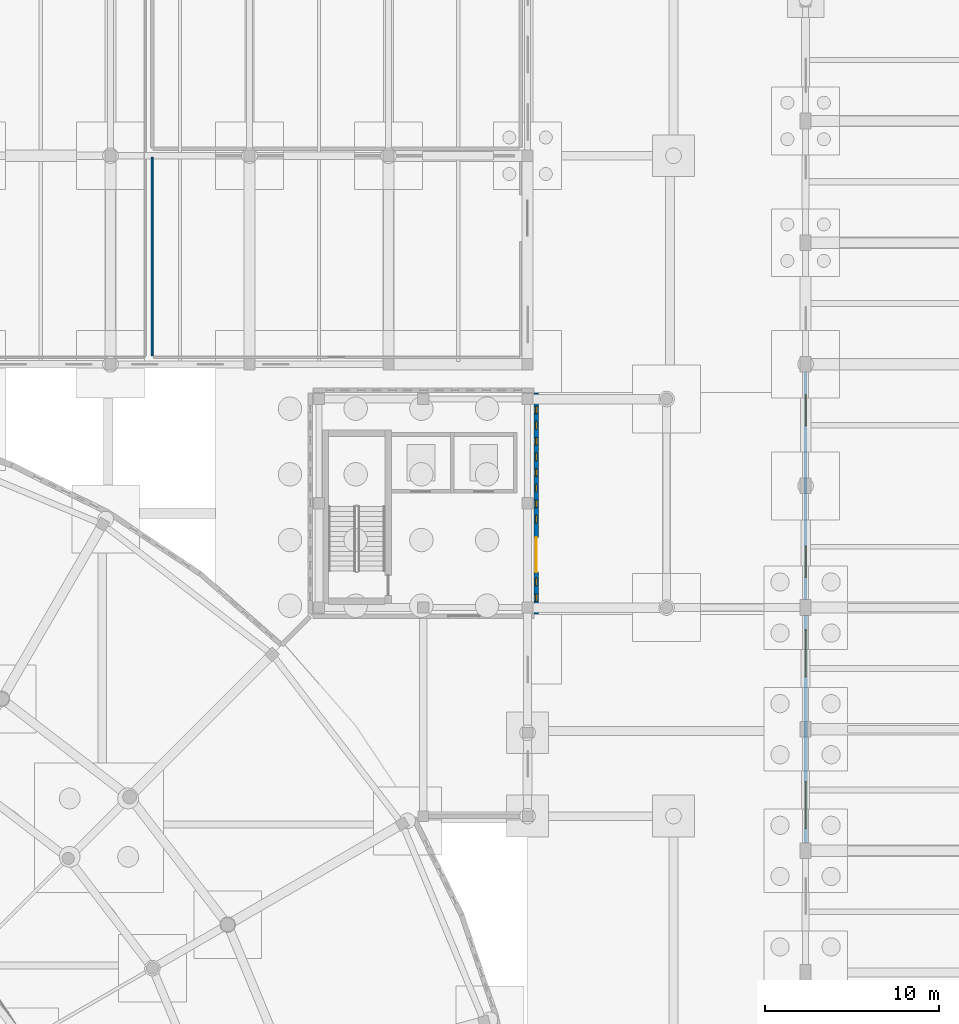
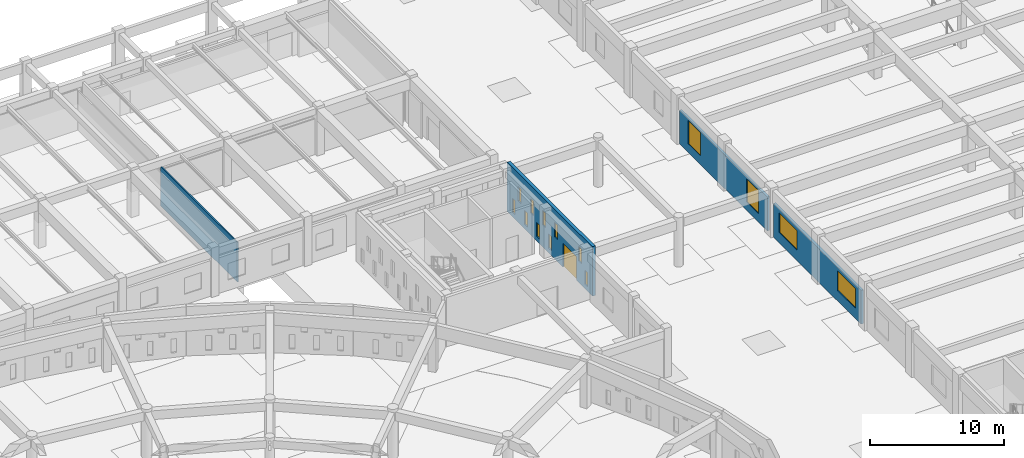
# One storey, part 57 of 84: 14 windows, 4 walls, 1 door, 15 openings.
"""IFC4 building model written with IfcOpenShell, lengths in metres."""

from ifc_helpers import new_model, si_unit, direction, frame, frame_2d, origin, place, context, subcontext, project, spatial, rectangle, extrude, material, layer, layer_set, type_object, element, fill, save


model = new_model("IFC4")

# Units and contexts
model_context = context("Model", 3, precision=1e-05, world=origin(), true_north=direction((0.0, 1.0)))
body_context = subcontext(model_context, "Body", "Model", "MODEL_VIEW")
ifc_project = project(units=[si_unit("LENGTHUNIT", "METRE"), si_unit("AREAUNIT", "SQUARE_METRE"), si_unit("VOLUMEUNIT", "CUBIC_METRE"), si_unit("PLANEANGLEUNIT", "RADIAN"), si_unit("MASSUNIT", "GRAM", prefix="KILO")], contexts=[model_context])

# Site, building, storey
site_placement = place(None, origin())
site = spatial("IfcSite", under=ifc_project, at=site_placement, CompositionType="ELEMENT")
building_placement = place(site_placement, origin())
building = spatial("IfcBuilding", under=site, at=building_placement, Name="Larkveld Mobility Hub", CompositionType="ELEMENT")
storey_placement = place(building_placement, origin())
storey = spatial("IfcBuildingStorey", under=building, at=storey_placement, Name="L00", CompositionType="ELEMENT", Elevation=0.0)

# Wall, openings, door, windows
ifc_material_1 = material(Name="Fired clay brick 25 MPa", Category="masonry")
ifc_layer_1 = layer(ifc_material_1, 0.260009765625, Name="Fired clay brick 25 MPa", Category="masonry")
ifc_layer_set_1 = layer_set([ifc_layer_1], Name="Fired clay brick 25 MPa")
wall_type_1 = type_object("IfcWallType", Name="WL-BRK-260", PredefinedType="USERDEFINED", material=ifc_layer_set_1)
wall_1_placement = place(storey_placement, frame((96.5, 83.639892578125, 0.0), z_axis=(0.0, 0.0, 1.0), x_axis=(0.0, 1.0, 0.0)))
wall_1 = element("IfcWall", 1, at=wall_1_placement, inside=storey, type_object=wall_type_1, Name="Square Brick Pavilion E Wall L00-0142", ObjectType="PERFORATED BRICK SCREEN", PredefinedType="USERDEFINED", context=body_context, shape_type="SweptSolid", body=[
    extrude(rectangle(XDim=12.72021484375, YDim=0.260009765625, at=frame_2d((6.360107421875, 0.0))), origin(), (0.0, 0.0, 1.0), 4.5),
])
opening_1_placement = place(wall_1_placement, frame((2.39990234375, 0.0, 0.0)))
opening_1 = element("IfcOpeningElement", 2, at=opening_1_placement, cuts=wall_1, Name="Opening ED02", PredefinedType="OPENING", context=body_context, shape_type="SweptSolid", body=[
    extrude(rectangle(XDim=2.0, YDim=2.14990234375, at=frame_2d((1.0, 1.074951171875))), frame((0.0, 0.14013671875, 0.0), z_axis=(0.0, -1.0, 0.0), x_axis=(1.0, 0.0, 0.0)), (0.0, 0.0, 1.0), 0.280029296875),
])
opening_2_placement = place(wall_1_placement, frame((0.719970703125, 0.0, 0.419921875)))
opening_2 = element("IfcOpeningElement", 3, at=opening_2_placement, cuts=wall_1, Name="Opening W01", PredefinedType="OPENING", context=body_context, shape_type="SweptSolid", body=[
    extrude(rectangle(XDim=0.419921875, YDim=1.280029296875, at=frame_2d((0.2099609375, 0.64013671875))), frame((0.0, 0.14013671875, 0.0), z_axis=(0.0, -1.0, 0.0), x_axis=(1.0, 0.0, 0.0)), (0.0, 0.0, 1.0), 0.280029296875),
])
opening_3_placement = place(wall_1_placement, frame((6.1201171875, 0.0, 0.419921875)))
opening_3 = element("IfcOpeningElement", 4, at=opening_3_placement, cuts=wall_1, Name="Opening W01", PredefinedType="OPENING", context=body_context, shape_type="SweptSolid", body=[
    extrude(rectangle(XDim=0.419921875, YDim=1.280029296875, at=frame_2d((0.2099609375, 0.64013671875))), frame((0.0, 0.14013671875, 0.0), z_axis=(0.0, -1.0, 0.0), x_axis=(1.0, 0.0, 0.0)), (0.0, 0.0, 1.0), 0.280029296875),
])
opening_4_placement = place(wall_1_placement, frame((7.919921875, 0.0, 0.419921875)))
opening_4 = element("IfcOpeningElement", 5, at=opening_4_placement, cuts=wall_1, Name="Opening W01", PredefinedType="OPENING", context=body_context, shape_type="SweptSolid", body=[
    extrude(rectangle(XDim=0.419921875, YDim=1.280029296875, at=frame_2d((0.2099609375, 0.64013671875))), frame((0.0, 0.14013671875, 0.0), z_axis=(0.0, -1.0, 0.0), x_axis=(1.0, 0.0, 0.0)), (0.0, 0.0, 1.0), 0.280029296875),
])
opening_5_placement = place(wall_1_placement, frame((9.719970703125, 0.0, 0.419921875)))
opening_5 = element("IfcOpeningElement", 6, at=opening_5_placement, cuts=wall_1, Name="Opening W01", PredefinedType="OPENING", context=body_context, shape_type="SweptSolid", body=[
    extrude(rectangle(XDim=0.419921875, YDim=1.280029296875, at=frame_2d((0.2099609375, 0.64013671875))), frame((0.0, 0.14013671875, 0.0), z_axis=(0.0, -1.0, 0.0), x_axis=(1.0, 0.0, 0.0)), (0.0, 0.0, 1.0), 0.280029296875),
])
opening_6_placement = place(wall_1_placement, frame((11.52001953125, 0.0, 0.419921875)))
opening_6 = element("IfcOpeningElement", 7, at=opening_6_placement, cuts=wall_1, Name="Opening W01", PredefinedType="OPENING", context=body_context, shape_type="SweptSolid", body=[
    extrude(rectangle(XDim=0.419921875, YDim=1.280029296875, at=frame_2d((0.2099609375, 0.64013671875))), frame((0.0, 0.14013671875, 0.0), z_axis=(0.0, -1.0, 0.0), x_axis=(1.0, 0.0, 0.0)), (0.0, 0.0, 1.0), 0.280029296875),
])
opening_7_placement = place(wall_1_placement, frame((1.6201171875, 0.0, 1.97998046875)))
opening_7 = element("IfcOpeningElement", 8, at=opening_7_placement, cuts=wall_1, Name="Opening W02", PredefinedType="OPENING", context=body_context, shape_type="SweptSolid", body=[
    extrude(rectangle(XDim=0.449951171875, YDim=1.320068359375, at=frame_2d((0.22509765625, 0.66015625))), frame((0.0, 0.14013671875, 0.0), z_axis=(0.0, -1.0, 0.0), x_axis=(1.0, 0.0, 0.0)), (0.0, 0.0, 1.0), 0.280029296875),
])
opening_8_placement = place(wall_1_placement, frame((5.219970703125, 0.0, 1.97998046875)))
opening_8 = element("IfcOpeningElement", 9, at=opening_8_placement, cuts=wall_1, Name="Opening W02", PredefinedType="OPENING", context=body_context, shape_type="SweptSolid", body=[
    extrude(rectangle(XDim=0.449951171875, YDim=1.320068359375, at=frame_2d((0.22509765625, 0.66015625))), frame((0.0, 0.14013671875, 0.0), z_axis=(0.0, -1.0, 0.0), x_axis=(1.0, 0.0, 0.0)), (0.0, 0.0, 1.0), 0.280029296875),
])
opening_9_placement = place(wall_1_placement, frame((7.02001953125, 0.0, 1.97998046875)))
opening_9 = element("IfcOpeningElement", 10, at=opening_9_placement, cuts=wall_1, Name="Opening W02", PredefinedType="OPENING", context=body_context, shape_type="SweptSolid", body=[
    extrude(rectangle(XDim=0.449951171875, YDim=1.320068359375, at=frame_2d((0.22509765625, 0.66015625))), frame((0.0, 0.14013671875, 0.0), z_axis=(0.0, -1.0, 0.0), x_axis=(1.0, 0.0, 0.0)), (0.0, 0.0, 1.0), 0.280029296875),
])
opening_10_placement = place(wall_1_placement, frame((8.820068359375, 0.0, 1.97998046875)))
opening_10 = element("IfcOpeningElement", 11, at=opening_10_placement, cuts=wall_1, Name="Opening W02", PredefinedType="OPENING", context=body_context, shape_type="SweptSolid", body=[
    extrude(rectangle(XDim=0.449951171875, YDim=1.320068359375, at=frame_2d((0.22509765625, 0.66015625))), frame((0.0, 0.14013671875, 0.0), z_axis=(0.0, -1.0, 0.0), x_axis=(1.0, 0.0, 0.0)), (0.0, 0.0, 1.0), 0.280029296875),
])
opening_11_placement = place(wall_1_placement, frame((10.6201171875, 0.0, 1.97998046875)))
opening_11 = element("IfcOpeningElement", 12, at=opening_11_placement, cuts=wall_1, Name="Opening W02", PredefinedType="OPENING", context=body_context, shape_type="SweptSolid", body=[
    extrude(rectangle(XDim=0.449951171875, YDim=1.320068359375, at=frame_2d((0.22509765625, 0.66015625))), frame((0.0, 0.14013671875, 0.0), z_axis=(0.0, -1.0, 0.0), x_axis=(1.0, 0.0, 0.0)), (0.0, 0.0, 1.0), 0.280029296875),
])
ifc_material_2 = material(Name="Anodised aluminium glazed entrance door", Category="aluminium")
door_type = type_object("IfcDoorType", Name="DR-EXT-DB20", OperationType="DOUBLE_DOOR_SINGLE_SWING", PredefinedType="DOOR", material=ifc_material_2)
door_placement = place(opening_1_placement, origin())
door = element("IfcDoor", 13, at=door_placement, inside=storey, type_object=door_type, Name="Brick Pavilion Passage Entrance EDR-L00-002", OperationType="DOUBLE_DOOR_SINGLE_SWING", OverallHeight=2.14990234375, OverallWidth=2.0, PredefinedType="DOOR", context=body_context, shape_type="SweptSolid", body=[
    extrude(rectangle(XDim=2.0, YDim=2.14990234375, at=frame_2d((1.0, 1.074951171875))), frame((0.0, 0.02490234375, 0.0), z_axis=(0.0, -1.0, 0.0), x_axis=(1.0, 0.0, 0.0)), (0.0, 0.0, 1.0), 0.050048828125),
])
fill(opening_1, door)
ifc_material_3 = material(Name="Extruded aluminium ventilation grille", Category="aluminium")
window_type_1 = type_object("IfcWindowType", Name="WN-VENT-01", PartitioningType="SINGLE_PANEL", PredefinedType="WINDOW", material=ifc_material_3)
window_1_placement = place(opening_2_placement, origin())
window_1 = element("IfcWindow", 14, at=window_1_placement, inside=storey, type_object=window_type_1, Name="Window W01 (0707)", OverallHeight=1.280029296875, OverallWidth=0.419921875, PartitioningType="SINGLE_PANEL", PredefinedType="WINDOW", context=body_context, shape_type="SweptSolid", body=[
    extrude(rectangle(XDim=0.419921875, YDim=1.280029296875, at=frame_2d((0.2099609375, 0.64013671875))), frame((0.0, 0.030029296875, 0.0), z_axis=(0.0, -1.0, 0.0), x_axis=(1.0, 0.0, 0.0)), (0.0, 0.0, 1.0), 0.06005859375),
])
fill(opening_2, window_1)
window_2_placement = place(opening_3_placement, origin())
window_2 = element("IfcWindow", 15, at=window_2_placement, inside=storey, type_object=window_type_1, Name="Window W01 (0708)", OverallHeight=1.280029296875, OverallWidth=0.419921875, PartitioningType="SINGLE_PANEL", PredefinedType="WINDOW", context=body_context, shape_type="SweptSolid", body=[
    extrude(rectangle(XDim=0.419921875, YDim=1.280029296875, at=frame_2d((0.2099609375, 0.64013671875))), frame((0.0, 0.030029296875, 0.0), z_axis=(0.0, -1.0, 0.0), x_axis=(1.0, 0.0, 0.0)), (0.0, 0.0, 1.0), 0.06005859375),
])
fill(opening_3, window_2)
window_3_placement = place(opening_4_placement, origin())
window_3 = element("IfcWindow", 16, at=window_3_placement, inside=storey, type_object=window_type_1, Name="Window W01 (0709)", OverallHeight=1.280029296875, OverallWidth=0.419921875, PartitioningType="SINGLE_PANEL", PredefinedType="WINDOW", context=body_context, shape_type="SweptSolid", body=[
    extrude(rectangle(XDim=0.419921875, YDim=1.280029296875, at=frame_2d((0.2099609375, 0.64013671875))), frame((0.0, 0.030029296875, 0.0), z_axis=(0.0, -1.0, 0.0), x_axis=(1.0, 0.0, 0.0)), (0.0, 0.0, 1.0), 0.06005859375),
])
fill(opening_4, window_3)
window_4_placement = place(opening_5_placement, origin())
window_4 = element("IfcWindow", 17, at=window_4_placement, inside=storey, type_object=window_type_1, Name="Window W01 (0710)", OverallHeight=1.280029296875, OverallWidth=0.419921875, PartitioningType="SINGLE_PANEL", PredefinedType="WINDOW", context=body_context, shape_type="SweptSolid", body=[
    extrude(rectangle(XDim=0.419921875, YDim=1.280029296875, at=frame_2d((0.2099609375, 0.64013671875))), frame((0.0, 0.030029296875, 0.0), z_axis=(0.0, -1.0, 0.0), x_axis=(1.0, 0.0, 0.0)), (0.0, 0.0, 1.0), 0.06005859375),
])
fill(opening_5, window_4)
window_5_placement = place(opening_6_placement, origin())
window_5 = element("IfcWindow", 18, at=window_5_placement, inside=storey, type_object=window_type_1, Name="Window W01 (0711)", OverallHeight=1.280029296875, OverallWidth=0.419921875, PartitioningType="SINGLE_PANEL", PredefinedType="WINDOW", context=body_context, shape_type="SweptSolid", body=[
    extrude(rectangle(XDim=0.419921875, YDim=1.280029296875, at=frame_2d((0.2099609375, 0.64013671875))), frame((0.0, 0.030029296875, 0.0), z_axis=(0.0, -1.0, 0.0), x_axis=(1.0, 0.0, 0.0)), (0.0, 0.0, 1.0), 0.06005859375),
])
fill(opening_6, window_5)
window_type_2 = type_object("IfcWindowType", Name="WN-VENT-02", PartitioningType="SINGLE_PANEL", PredefinedType="WINDOW", material=ifc_material_3)
window_6_placement = place(opening_7_placement, origin())
window_6 = element("IfcWindow", 19, at=window_6_placement, inside=storey, type_object=window_type_2, Name="Window W02 (0712)", OverallHeight=1.320068359375, OverallWidth=0.449951171875, PartitioningType="SINGLE_PANEL", PredefinedType="WINDOW", context=body_context, shape_type="SweptSolid", body=[
    extrude(rectangle(XDim=0.449951171875, YDim=1.320068359375, at=frame_2d((0.22509765625, 0.66015625))), frame((0.0, 0.030029296875, 0.0), z_axis=(0.0, -1.0, 0.0), x_axis=(1.0, 0.0, 0.0)), (0.0, 0.0, 1.0), 0.06005859375),
])
fill(opening_7, window_6)
window_7_placement = place(opening_8_placement, origin())
window_7 = element("IfcWindow", 20, at=window_7_placement, inside=storey, type_object=window_type_2, Name="Window W02 (0713)", OverallHeight=1.320068359375, OverallWidth=0.449951171875, PartitioningType="SINGLE_PANEL", PredefinedType="WINDOW", context=body_context, shape_type="SweptSolid", body=[
    extrude(rectangle(XDim=0.449951171875, YDim=1.320068359375, at=frame_2d((0.22509765625, 0.66015625))), frame((0.0, 0.030029296875, 0.0), z_axis=(0.0, -1.0, 0.0), x_axis=(1.0, 0.0, 0.0)), (0.0, 0.0, 1.0), 0.06005859375),
])
fill(opening_8, window_7)
window_8_placement = place(opening_9_placement, origin())
window_8 = element("IfcWindow", 21, at=window_8_placement, inside=storey, type_object=window_type_2, Name="Window W02 (0714)", OverallHeight=1.320068359375, OverallWidth=0.449951171875, PartitioningType="SINGLE_PANEL", PredefinedType="WINDOW", context=body_context, shape_type="SweptSolid", body=[
    extrude(rectangle(XDim=0.449951171875, YDim=1.320068359375, at=frame_2d((0.22509765625, 0.66015625))), frame((0.0, 0.030029296875, 0.0), z_axis=(0.0, -1.0, 0.0), x_axis=(1.0, 0.0, 0.0)), (0.0, 0.0, 1.0), 0.06005859375),
])
fill(opening_9, window_8)
window_9_placement = place(opening_10_placement, origin())
window_9 = element("IfcWindow", 22, at=window_9_placement, inside=storey, type_object=window_type_2, Name="Window W02 (0715)", OverallHeight=1.320068359375, OverallWidth=0.449951171875, PartitioningType="SINGLE_PANEL", PredefinedType="WINDOW", context=body_context, shape_type="SweptSolid", body=[
    extrude(rectangle(XDim=0.449951171875, YDim=1.320068359375, at=frame_2d((0.22509765625, 0.66015625))), frame((0.0, 0.030029296875, 0.0), z_axis=(0.0, -1.0, 0.0), x_axis=(1.0, 0.0, 0.0)), (0.0, 0.0, 1.0), 0.06005859375),
])
fill(opening_10, window_9)
window_10_placement = place(opening_11_placement, origin())
window_10 = element("IfcWindow", 23, at=window_10_placement, inside=storey, type_object=window_type_2, Name="Window W02 (0716)", OverallHeight=1.320068359375, OverallWidth=0.449951171875, PartitioningType="SINGLE_PANEL", PredefinedType="WINDOW", context=body_context, shape_type="SweptSolid", body=[
    extrude(rectangle(XDim=0.449951171875, YDim=1.320068359375, at=frame_2d((0.22509765625, 0.66015625))), frame((0.0, 0.030029296875, 0.0), z_axis=(0.0, -1.0, 0.0), x_axis=(1.0, 0.0, 0.0)), (0.0, 0.0, 1.0), 0.06005859375),
])
fill(opening_11, window_10)

# Wall, openings, windows
ifc_material_4 = material(Name="Glazed architectural ceramic masonry 20 MPa", Category="masonry")
ifc_layer_2 = layer(ifc_material_4, 0.179931640625, Name="Glazed architectural ceramic masonry 20 MPa", Category="masonry")
ifc_layer_set_2 = layer_set([ifc_layer_2], Name="Glazed architectural ceramic masonry 20 MPa")
wall_type_2 = type_object("IfcWallType", Name="WL-COB-180", PredefinedType="USERDEFINED", material=ifc_layer_set_2)
wall_2_placement = place(storey_placement, frame((112.0, 97.5400390625, 0.0), z_axis=(0.0, 0.0, 1.0), x_axis=(0.0, -1.0, 0.0)))
wall_2 = element("IfcWall", 24, at=wall_2_placement, inside=storey, type_object=wall_type_2, Name="EV Wing West Ventilated Facade L00-0219", ObjectType="CERAMIC COBOGO SCREEN", PredefinedType="USERDEFINED", context=body_context, shape_type="SweptSolid", body=[
    extrude(rectangle(XDim=13.080078125, YDim=0.179931640625, at=frame_2d((6.5400390625, 0.0))), origin(), (0.0, 0.0, 1.0), 3.094970703125),
])
opening_12_placement = place(wall_2_placement, frame((1.280029296875, 0.0, 0.794921875)))
opening_12 = element("IfcOpeningElement", 25, at=opening_12_placement, cuts=wall_2, Name="Opening W17", PredefinedType="OPENING", context=body_context, shape_type="SweptSolid", body=[
    extrude(rectangle(XDim=1.800048828125, YDim=2.10009765625, at=frame_2d((0.89990234375, 1.050048828125))), frame((0.0, 0.10009765625, 0.0), z_axis=(0.0, -1.0, 0.0), x_axis=(1.0, 0.0, 0.0)), (0.0, 0.0, 1.0), 0.199951171875),
])
opening_13_placement = place(wall_2_placement, frame((10.0, 0.0, 0.794921875)))
opening_13 = element("IfcOpeningElement", 26, at=opening_13_placement, cuts=wall_2, Name="Opening W17", PredefinedType="OPENING", context=body_context, shape_type="SweptSolid", body=[
    extrude(rectangle(XDim=1.800048828125, YDim=2.10009765625, at=frame_2d((0.89990234375, 1.050048828125))), frame((0.0, 0.10009765625, 0.0), z_axis=(0.0, -1.0, 0.0), x_axis=(1.0, 0.0, 0.0)), (0.0, 0.0, 1.0), 0.199951171875),
])
ifc_material_5 = material(Name="Low-E double glazing in aluminium frame", Category="aluminium")
window_type_3 = type_object("IfcWindowType", Name="WN-ALU-17", PartitioningType="SINGLE_PANEL", PredefinedType="WINDOW", material=ifc_material_5)
window_11_placement = place(opening_12_placement, origin())
window_11 = element("IfcWindow", 27, at=window_11_placement, inside=storey, type_object=window_type_3, Name="Window W17 (1019)", OverallHeight=2.10009765625, OverallWidth=1.800048828125, PartitioningType="SINGLE_PANEL", PredefinedType="WINDOW", context=body_context, shape_type="SweptSolid", body=[
    extrude(rectangle(XDim=1.800048828125, YDim=2.10009765625, at=frame_2d((0.89990234375, 1.050048828125))), frame((0.0, 0.030029296875, 0.0), z_axis=(0.0, -1.0, 0.0), x_axis=(1.0, 0.0, 0.0)), (0.0, 0.0, 1.0), 0.06005859375),
])
fill(opening_12, window_11)
window_12_placement = place(opening_13_placement, origin())
window_12 = element("IfcWindow", 28, at=window_12_placement, inside=storey, type_object=window_type_3, Name="Window W17 (1020)", OverallHeight=2.10009765625, OverallWidth=1.800048828125, PartitioningType="SINGLE_PANEL", PredefinedType="WINDOW", context=body_context, shape_type="SweptSolid", body=[
    extrude(rectangle(XDim=1.800048828125, YDim=2.10009765625, at=frame_2d((0.89990234375, 1.050048828125))), frame((0.0, 0.030029296875, 0.0), z_axis=(0.0, -1.0, 0.0), x_axis=(1.0, 0.0, 0.0)), (0.0, 0.0, 1.0), 0.06005859375),
])
fill(opening_13, window_12)

ifc_layer_3 = layer(ifc_material_4, 0.2099609375, Name="Glazed architectural ceramic masonry 20 MPa", Category="masonry")
ifc_layer_set_3 = layer_set([ifc_layer_3], Name="Glazed architectural ceramic masonry 20 MPa")
wall_type_3 = type_object("IfcWallType", Name="WL-COB-210", PredefinedType="USERDEFINED", material=ifc_layer_set_3)
wall_3_placement = place(storey_placement, frame((112.0, 83.5400390625, 0.0), z_axis=(0.0, 0.0, 1.0), x_axis=(0.0, -1.0, 0.0)))
wall_3 = element("IfcWall", 29, at=wall_3_placement, inside=storey, type_object=wall_type_3, Name="EV Wing West Ventilated Facade L00-0218", ObjectType="CERAMIC COBOGO SCREEN", PredefinedType="USERDEFINED", context=body_context, shape_type="SweptSolid", body=[
    extrude(rectangle(XDim=13.080078125, YDim=0.2099609375, at=frame_2d((6.5400390625, 0.0))), origin(), (0.0, 0.0, 1.0), 3.094970703125),
])
opening_14_placement = place(wall_3_placement, frame((0.830078125, 0.0, 0.949951171875)))
opening_14 = element("IfcOpeningElement", 30, at=opening_14_placement, cuts=wall_3, Name="Opening W15", PredefinedType="OPENING", context=body_context, shape_type="SweptSolid", body=[
    extrude(rectangle(XDim=2.699951171875, YDim=1.800048828125, at=frame_2d((1.35009765625, 0.89990234375))), frame((0.0, 0.114990234375, 0.0), z_axis=(0.0, -1.0, 0.0), x_axis=(1.0, 0.0, 0.0)), (0.0, 0.0, 1.0), 0.22998046875),
])
opening_15_placement = place(wall_3_placement, frame((9.550048828125, 0.0, 0.949951171875)))
opening_15 = element("IfcOpeningElement", 31, at=opening_15_placement, cuts=wall_3, Name="Opening W15", PredefinedType="OPENING", context=body_context, shape_type="SweptSolid", body=[
    extrude(rectangle(XDim=2.699951171875, YDim=1.800048828125, at=frame_2d((1.35009765625, 0.89990234375))), frame((0.0, 0.114990234375, 0.0), z_axis=(0.0, -1.0, 0.0), x_axis=(1.0, 0.0, 0.0)), (0.0, 0.0, 1.0), 0.22998046875),
])
window_type_4 = type_object("IfcWindowType", Name="WN-ALU-15", PartitioningType="SINGLE_PANEL", PredefinedType="WINDOW", material=ifc_material_5)
window_13_placement = place(opening_14_placement, origin())
window_13 = element("IfcWindow", 32, at=window_13_placement, inside=storey, type_object=window_type_4, Name="Window W15 (1017)", OverallHeight=1.800048828125, OverallWidth=2.699951171875, PartitioningType="SINGLE_PANEL", PredefinedType="WINDOW", context=body_context, shape_type="SweptSolid", body=[
    extrude(rectangle(XDim=2.699951171875, YDim=1.800048828125, at=frame_2d((1.35009765625, 0.89990234375))), frame((0.0, 0.030029296875, 0.0), z_axis=(0.0, -1.0, 0.0), x_axis=(1.0, 0.0, 0.0)), (0.0, 0.0, 1.0), 0.06005859375),
])
fill(opening_14, window_13)
window_14_placement = place(opening_15_placement, origin())
window_14 = element("IfcWindow", 33, at=window_14_placement, inside=storey, type_object=window_type_4, Name="Window W15 (1018)", OverallHeight=1.800048828125, OverallWidth=2.699951171875, PartitioningType="SINGLE_PANEL", PredefinedType="WINDOW", context=body_context, shape_type="SweptSolid", body=[
    extrude(rectangle(XDim=2.699951171875, YDim=1.800048828125, at=frame_2d((1.35009765625, 0.89990234375))), frame((0.0, 0.030029296875, 0.0), z_axis=(0.0, -1.0, 0.0), x_axis=(1.0, 0.0, 0.0)), (0.0, 0.0, 1.0), 0.06005859375),
])
fill(opening_15, window_14)

# Wall
ifc_material_6 = material(Name="Concrete blockwork masonry 14 MPa", Category="masonry")
ifc_layer_4 = layer(ifc_material_6, 0.110107421875, Name="Concrete blockwork masonry 14 MPa", Category="masonry")
ifc_layer_set_4 = layer_set([ifc_layer_4], Name="Concrete blockwork masonry 14 MPa")
wall_type_4 = type_object("IfcWallType", Name="WL-PRT-110", PredefinedType="PARTITIONING", material=ifc_layer_set_4)
wall_4_placement = place(storey_placement, frame((74.39990234375, 98.47998046875, 0.0), z_axis=(0.0, 0.0, 1.0), x_axis=(0.0, 1.0, 0.0)))
element("IfcWall", 34, at=wall_4_placement, inside=storey, type_object=wall_type_4, Name="Cycle Repair and Maintenance Workshop Partition 0039", PredefinedType="PARTITIONING", context=body_context, shape_type="SweptSolid", body=[
    extrude(rectangle(XDim=11.43994140625, YDim=0.110107421875, at=frame_2d((5.719970703125, 0.0))), origin(), (0.0, 0.0, 1.0), 3.594970703125),
])

save(model, "model.ifc")
